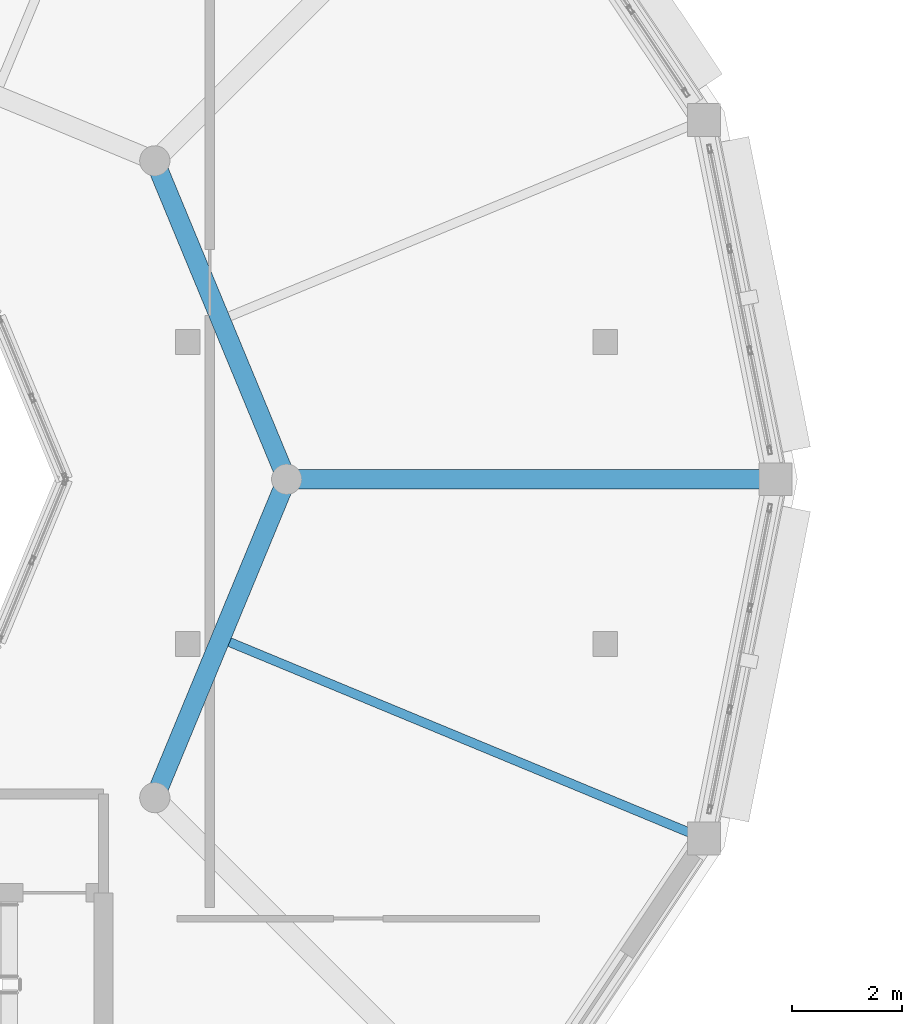
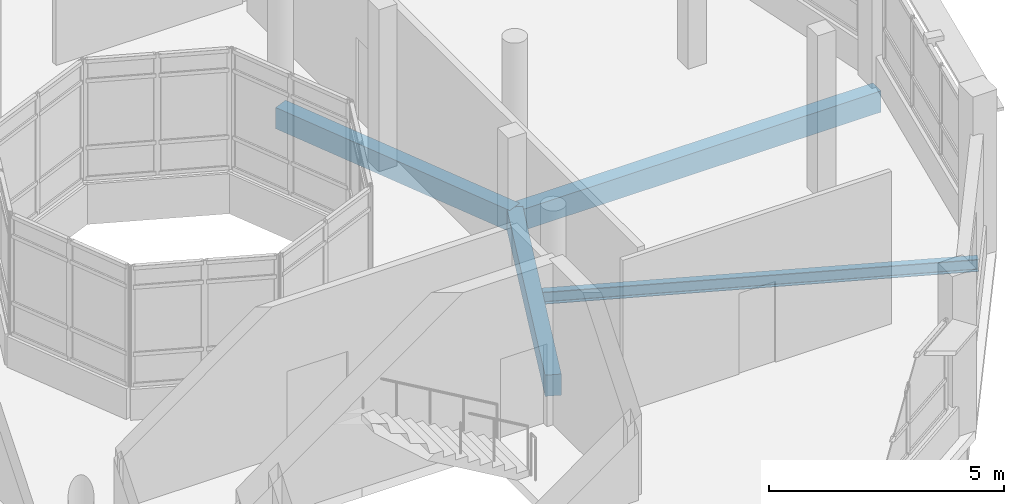
# One storey, part 83 of 128: 4 beams.
"""IFC4 building model written with IfcOpenShell, lengths in metres."""

from ifc_helpers import new_model, si_unit, direction, frame, origin, origin_2d, place, context, subcontext, project, spatial, rectangle, i_section, extrude, material, material_profile, profile_set, type_object, element, save


model = new_model("IFC4")

# Units and contexts
model_context = context("Model", 3, precision=1e-05, world=origin(), true_north=direction((0.0, 1.0)))
body_context = subcontext(model_context, "Body", "Model", "MODEL_VIEW")
ifc_project = project(units=[si_unit("LENGTHUNIT", "METRE"), si_unit("AREAUNIT", "SQUARE_METRE"), si_unit("VOLUMEUNIT", "CUBIC_METRE"), si_unit("PLANEANGLEUNIT", "RADIAN"), si_unit("MASSUNIT", "GRAM", prefix="KILO")], contexts=[model_context])

# Site, building, storey
site_placement = place(None, origin())
site = spatial("IfcSite", under=ifc_project, at=site_placement, CompositionType="ELEMENT")
building_placement = place(site_placement, origin())
building = spatial("IfcBuilding", under=site, at=building_placement, Name="Vespera Passage Community Centre", CompositionType="ELEMENT")
storey_placement = place(building_placement, frame((0.0, 0.0, 4.5)))
storey = spatial("IfcBuildingStorey", under=building, at=storey_placement, Name="L01", CompositionType="ELEMENT", Elevation=4.5)

# Beams
ifc_material_1 = material(Name="Concrete f'c 35 MPa", Category="concrete")
ifc_material_profile_1 = material_profile(ifc_material_1, rectangle(XDim=0.35009765625, YDim=0.550048828125, at=origin_2d()), Name="RC350X550")
ifc_profile_set_1 = profile_set([ifc_material_profile_1], Name="Concrete f'c 35 MPa")
beam_type_1 = type_object("IfcBeamType", Name="BM-J-350X550", PredefinedType="JOIST", material=ifc_profile_set_1)
beam_1_placement = place(storey_placement, frame((149.199951171875, 25.0, -0.514892578125), z_axis=(-0.382664436252, 0.92388740073, 0.0), x_axis=(-0.92388740073, -0.382664436252, 0.0)))
element("IfcBeam", 1, at=beam_1_placement, inside=storey, type_object=beam_type_1, Name="V3 L01 Inner Ring Beam 1", PredefinedType="JOIST", context=body_context, shape_type="SweptSolid", body=[
    extrude(rectangle(XDim=0.35009765625, YDim=0.550048828125, at=origin_2d()), origin(), (0.0, 0.0, 1.0), 6.276123046875),
])
beam_2_placement = place(storey_placement, frame((149.199951171875, 25.0, -0.514892578125), z_axis=(1.0, 0.0, 0.0), x_axis=(0.0, 1.0, 0.0)))
element("IfcBeam", 2, at=beam_2_placement, inside=storey, type_object=beam_type_1, Name="V3 L01 Radial Girder 1", PredefinedType="JOIST", context=body_context, shape_type="SweptSolid", body=[
    extrude(rectangle(XDim=0.35009765625, YDim=0.550048828125, at=origin_2d()), origin(), (0.0, 0.0, 1.0), 8.900146484375),
])
beam_3_placement = place(storey_placement, frame((146.79833984375, 19.20166015625, -0.514892578125), z_axis=(0.382664436252, 0.92388740073, 0.0), x_axis=(-0.92388740073, 0.382664436252, 0.0)))
element("IfcBeam", 3, at=beam_3_placement, inside=storey, type_object=beam_type_1, Name="V3 L01 Inner Ring Beam 8", PredefinedType="JOIST", context=body_context, shape_type="SweptSolid", body=[
    extrude(rectangle(XDim=0.35009765625, YDim=0.550048828125, at=origin_2d()), origin(), (0.0, 0.0, 1.0), 6.276123046875),
])
ifc_material_2 = material(Name="Steel ASTM A992 Grade 50", Category="steel")
ifc_material_profile_2 = material_profile(ifc_material_2, i_section(OverallWidth=0.16650390625, OverallDepth=0.3173828125, WebThickness=0.007568359375, FlangeThickness=0.01318359375, FilletRadius=0.007568359375, at=origin_2d()), Name="W12X35")
ifc_profile_set_2 = profile_set([ifc_material_profile_2], Name="Steel ASTM A992 Grade 50")
beam_type_2 = type_object("IfcBeamType", Name="BM-J-W12X35", PredefinedType="JOIST", material=ifc_profile_set_2)
beam_4_placement = place(storey_placement, frame((147.9990234375, 22.100830078125, -0.398681640625), z_axis=(0.923880304795, -0.382681567901, 0.0), x_axis=(0.382681567901, 0.923880304795, 0.0)))
element("IfcBeam", 4, at=beam_4_placement, inside=storey, type_object=beam_type_2, Name="V3 L01 Secondary Joist 8", PredefinedType="JOIST", context=body_context, shape_type="SweptSolid", body=[
    extrude(i_section(OverallWidth=0.16650390625, OverallDepth=0.3173828125, WebThickness=0.007568359375, FlangeThickness=0.01318359375, FilletRadius=0.007568359375, at=origin_2d()), origin(), (0.0, 0.0, 1.0), 9.5244140625),
])

save(model, "model.ifc")
